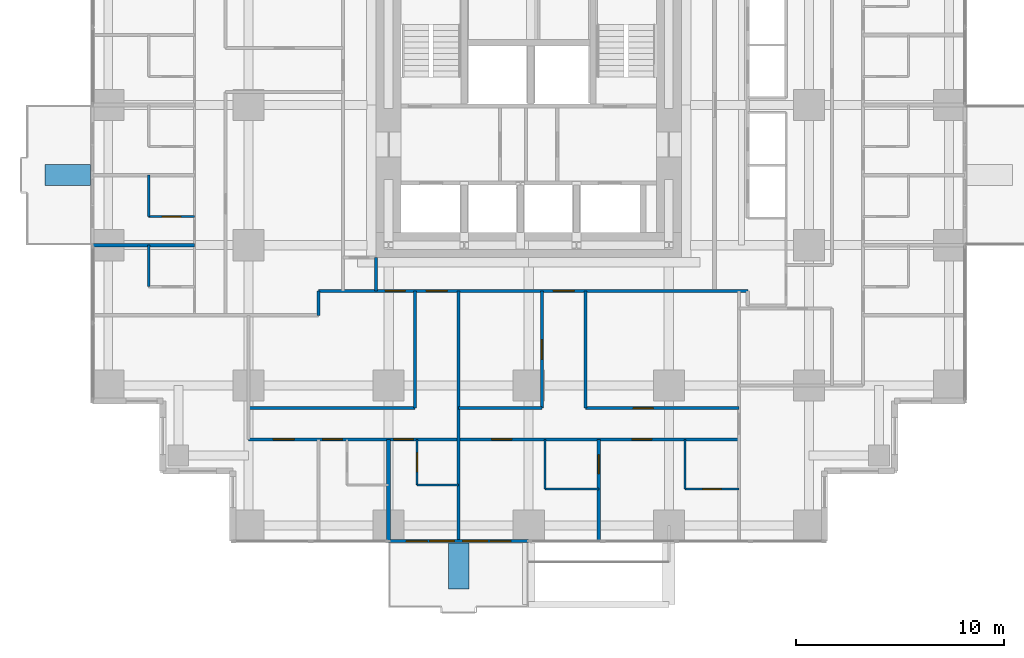
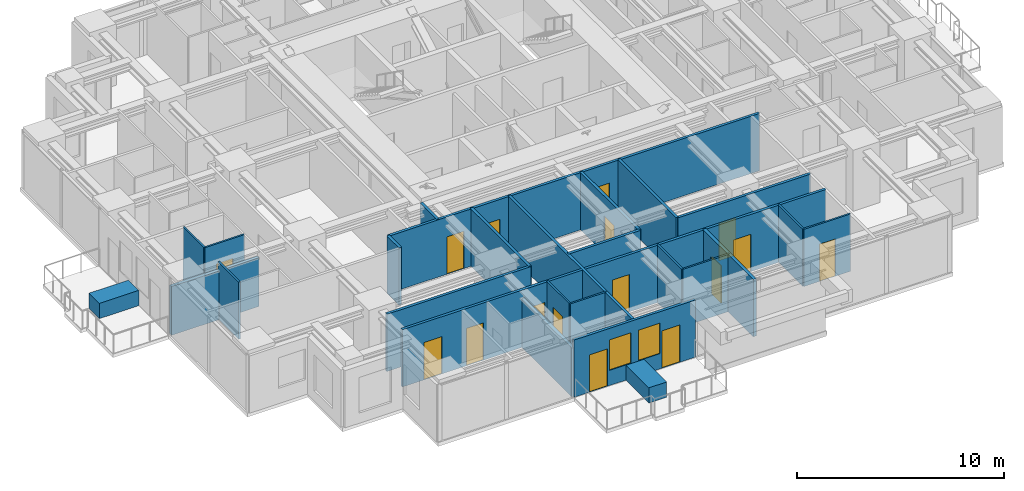
# One storey, part 7 of 13: 26 walls, 16 doors, 2 windows, 18 openings.
"""IFC4 building model written with IfcOpenShell, lengths in metres."""

from ifc_helpers import new_model, si_unit, direction, frame, frame_2d, origin, place, context, subcontext, project, spatial, rectangle, extrude, material, layer, layer_set, type_object, element, fill, save


model = new_model("IFC4")

# Units and contexts
model_context = context("Model", 3, precision=1e-05, world=origin(), true_north=direction((0.0, 1.0)))
body_context = subcontext(model_context, "Body", "Model", "MODEL_VIEW")
ifc_project = project(units=[si_unit("LENGTHUNIT", "METRE"), si_unit("AREAUNIT", "SQUARE_METRE"), si_unit("VOLUMEUNIT", "CUBIC_METRE"), si_unit("PLANEANGLEUNIT", "RADIAN"), si_unit("MASSUNIT", "GRAM", prefix="KILO")], contexts=[model_context])

# Site, building, storey
site_placement = place(None, origin())
site = spatial("IfcSite", under=ifc_project, at=site_placement, CompositionType="ELEMENT")
building_placement = place(site_placement, origin())
building = spatial("IfcBuilding", under=site, at=building_placement, Name="Nyansa Garden Tower", CompositionType="ELEMENT")
storey_placement = place(building_placement, frame((0.0, 0.0, 130.5)))
storey = spatial("IfcBuildingStorey", under=building, at=storey_placement, Name="L35", CompositionType="ELEMENT", Elevation=130.5)

# Walls
ifc_material_1 = material(Name="Dense blockwork, plastered both sides, 55 dB", Category="masonry")
ifc_layer_1 = layer(ifc_material_1, 0.175048828125)
ifc_layer_set_1 = layer_set([ifc_layer_1], Name="Acoustic party wall PW175")
wall_type_1 = type_object("IfcWallType", Name="Acoustic party wall PW175", PredefinedType="PARTITIONING", material=ifc_layer_set_1)
for number, where, z_axis, x_axis, name in (
    (1, (-0.73388671875, 13.5, 0.0), (0.0, 0.0, 1.0), (1.0, 0.0, 0.0), "Party wall"),
    (2, (13.5, -0.73388671875, 0.0), (0.0, 0.0, 1.0), (0.0, 1.0, 0.0), "Party wall"),
):
    element("IfcWall", number, at=place(storey_placement, frame(where, z_axis=z_axis, x_axis=x_axis)), inside=storey, type_object=wall_type_1, Name=name, PredefinedType="PARTITIONING", context=body_context, shape_type="SweptSolid", body=[
        extrude(rectangle(XDim=4.8837890625, YDim=0.175048828125, at=frame_2d((2.44189453125, 0.0))), origin(), (0.0, 0.0, 1.0), 2.876953125),
    ])

# Wall, opening, door
wall_1_placement = place(storey_placement, frame((23.625, -0.73388671875, 0.0), z_axis=(0.0, 0.0, 1.0), x_axis=(0.0, 1.0, 0.0)))
wall_1 = element("IfcWall", 3, at=wall_1_placement, inside=storey, type_object=wall_type_1, Name="Party wall", PredefinedType="PARTITIONING", context=body_context, shape_type="SweptSolid", body=[
    extrude(rectangle(XDim=4.8837890625, YDim=0.175048828125, at=frame_2d((2.44189453125, 0.0))), origin(), (0.0, 0.0, 1.0), 3.375),
])
opening_1_placement = place(wall_1_placement, frame((3.23388671875, 0.0, 0.0)))
opening_1 = element("IfcOpeningElement", 4, at=opening_1_placement, cuts=wall_1, Name="Opening D02", PredefinedType="OPENING", context=body_context, shape_type="SweptSolid", body=[
    extrude(rectangle(XDim=0.89990234375, YDim=2.199951171875, at=frame_2d((0.449951171875, 1.10009765625))), frame((0.0, 0.097412109375, 0.0), z_axis=(0.0, -1.0, 0.0), x_axis=(1.0, 0.0, 0.0)), (0.0, 0.0, 1.0), 0.195068359375),
])
ifc_material_2 = material(Name="Timber flush door", Category="wood")
door_type_1 = type_object("IfcDoorType", Name="En-suite door D02 900x2200", OperationType="SINGLE_SWING_RIGHT", PredefinedType="DOOR", material=ifc_material_2)
door_1_placement = place(opening_1_placement, origin())
door_1 = element("IfcDoor", 5, at=door_1_placement, inside=storey, type_object=door_type_1, Name="Door L35-027", OperationType="SINGLE_SWING_RIGHT", OverallHeight=2.199951171875, OverallWidth=0.89990234375, PredefinedType="DOOR", context=body_context, shape_type="SweptSolid", body=[
    extrude(rectangle(XDim=0.89990234375, YDim=2.199951171875, at=frame_2d((0.449951171875, 1.10009765625))), frame((0.0, 0.02490234375, 0.0), z_axis=(0.0, -1.0, 0.0), x_axis=(1.0, 0.0, 0.0)), (0.0, 0.0, 1.0), 0.050048828125),
])
fill(opening_1, door_1)

# Wall, openings, doors, windows
ifc_material_3 = material(Name="Black aluminium framed glazed screen", Category="aluminium")
ifc_layer_2 = layer(ifc_material_3, 0.14990234375)
ifc_layer_set_2 = layer_set([ifc_layer_2], Name="Balcony screen wall BW150")
wall_type_2 = type_object("IfcWallType", Name="Balcony screen wall BW150", PredefinedType="SOLIDWALL", material=ifc_layer_set_2)
wall_2_placement = place(storey_placement, frame((20.25, -0.75, 0.0), z_axis=(0.0, 0.0, 1.0), x_axis=(-1.0, 0.0, 0.0)))
wall_2 = element("IfcWall", 6, at=wall_2_placement, inside=storey, type_object=wall_type_2, Name="Glazed screen wall L35 S", PredefinedType="SOLIDWALL", context=body_context, shape_type="SweptSolid", body=[
    extrude(rectangle(XDim=6.75, YDim=0.14990234375, at=frame_2d((3.375, 0.0))), origin(), (0.0, 0.0, 1.0), 3.375),
])
opening_2_placement = place(wall_2_placement, frame((0.862548828125, 0.0, 0.0)))
opening_2 = element("IfcOpeningElement", 7, at=opening_2_placement, cuts=wall_2, Name="Opening D20", PredefinedType="OPENING", context=body_context, shape_type="SweptSolid", body=[
    extrude(rectangle(XDim=1.0, YDim=2.199951171875, at=frame_2d((0.5, 1.10009765625))), frame((0.0, 0.0849609375, 0.0), z_axis=(0.0, -1.0, 0.0), x_axis=(1.0, 0.0, 0.0)), (0.0, 0.0, 1.0), 0.169921875),
])
opening_3_placement = place(wall_2_placement, frame((1.97509765625, 0.0, 0.89990234375)))
opening_3 = element("IfcOpeningElement", 8, at=opening_3_placement, cuts=wall_2, Name="Opening W6", PredefinedType="OPENING", context=body_context, shape_type="SweptSolid", body=[
    extrude(rectangle(XDim=1.199951171875, YDim=1.800048828125, at=frame_2d((0.60009765625, 0.89990234375))), frame((0.0, 0.0849609375, 0.0), z_axis=(0.0, -1.0, 0.0), x_axis=(1.0, 0.0, 0.0)), (0.0, 0.0, 1.0), 0.169921875),
])
opening_4_placement = place(wall_2_placement, frame((4.887451171875, 0.0, 0.0)))
opening_4 = element("IfcOpeningElement", 9, at=opening_4_placement, cuts=wall_2, Name="Opening D20", PredefinedType="OPENING", context=body_context, shape_type="SweptSolid", body=[
    extrude(rectangle(XDim=1.0, YDim=2.199951171875, at=frame_2d((0.5, 1.10009765625))), frame((0.0, 0.0849609375, 0.0), z_axis=(0.0, -1.0, 0.0), x_axis=(1.0, 0.0, 0.0)), (0.0, 0.0, 1.0), 0.169921875),
])
opening_5_placement = place(wall_2_placement, frame((3.574951171875, 0.0, 0.89990234375)))
opening_5 = element("IfcOpeningElement", 10, at=opening_5_placement, cuts=wall_2, Name="Opening W6", PredefinedType="OPENING", context=body_context, shape_type="SweptSolid", body=[
    extrude(rectangle(XDim=1.199951171875, YDim=1.800048828125, at=frame_2d((0.60009765625, 0.89990234375))), frame((0.0, 0.0849609375, 0.0), z_axis=(0.0, -1.0, 0.0), x_axis=(1.0, 0.0, 0.0)), (0.0, 0.0, 1.0), 0.169921875),
])
ifc_material_4 = material(Name="Black aluminium framed glazed door", Category="aluminium")
door_type_2 = type_object("IfcDoorType", Name="Balcony door D20 1000x2200", OperationType="NOTDEFINED", PredefinedType="DOOR", material=ifc_material_4)
door_2_placement = place(opening_2_placement, origin())
door_2 = element("IfcDoor", 11, at=door_2_placement, inside=storey, type_object=door_type_2, Name="Balcony door L35", OperationType="SINGLE_SWING_LEFT", OverallHeight=2.199951171875, OverallWidth=1.0, PredefinedType="DOOR", context=body_context, shape_type="SweptSolid", body=[
    extrude(rectangle(XDim=1.0, YDim=2.199951171875, at=frame_2d((0.5, 1.10009765625))), frame((0.0, 0.02490234375, 0.0), z_axis=(0.0, -1.0, 0.0), x_axis=(1.0, 0.0, 0.0)), (0.0, 0.0, 1.0), 0.050048828125),
])
fill(opening_2, door_2)
door_3_placement = place(opening_4_placement, origin())
door_3 = element("IfcDoor", 12, at=door_3_placement, inside=storey, type_object=door_type_2, Name="Balcony door L35", OperationType="SINGLE_SWING_RIGHT", OverallHeight=2.199951171875, OverallWidth=1.0, PredefinedType="DOOR", context=body_context, shape_type="SweptSolid", body=[
    extrude(rectangle(XDim=1.0, YDim=2.199951171875, at=frame_2d((0.5, 1.10009765625))), frame((0.0, 0.02490234375, 0.0), z_axis=(0.0, -1.0, 0.0), x_axis=(1.0, 0.0, 0.0)), (0.0, 0.0, 1.0), 0.050048828125),
])
fill(opening_4, door_3)
ifc_material_5 = material(Name="Black aluminium frame, dark tinted double glazing", Category="aluminium")
window_type = type_object("IfcWindowType", Name="Balcony window W6 1200x1800", PartitioningType="SINGLE_PANEL", PredefinedType="WINDOW", material=ifc_material_5)
window_1_placement = place(opening_3_placement, origin())
window_1 = element("IfcWindow", 13, at=window_1_placement, inside=storey, type_object=window_type, Name="Window L35", OverallHeight=1.800048828125, OverallWidth=1.199951171875, PartitioningType="SINGLE_PANEL", PredefinedType="WINDOW", context=body_context, shape_type="SweptSolid", body=[
    extrude(rectangle(XDim=1.199951171875, YDim=1.800048828125, at=frame_2d((0.60009765625, 0.89990234375))), frame((0.0, 0.030029296875, 0.0), z_axis=(0.0, -1.0, 0.0), x_axis=(1.0, 0.0, 0.0)), (0.0, 0.0, 1.0), 0.06005859375),
])
fill(opening_3, window_1)
window_2_placement = place(opening_5_placement, origin())
window_2 = element("IfcWindow", 14, at=window_2_placement, inside=storey, type_object=window_type, Name="Window L35", OverallHeight=1.800048828125, OverallWidth=1.199951171875, PartitioningType="SINGLE_PANEL", PredefinedType="WINDOW", context=body_context, shape_type="SweptSolid", body=[
    extrude(rectangle(XDim=1.199951171875, YDim=1.800048828125, at=frame_2d((0.60009765625, 0.89990234375))), frame((0.0, 0.030029296875, 0.0), z_axis=(0.0, -1.0, 0.0), x_axis=(1.0, 0.0, 0.0)), (0.0, 0.0, 1.0), 0.06005859375),
])
fill(opening_5, window_2)

# Wall, openings, doors
ifc_material_6 = material(Name="Blockwork, plastered both sides", Category="masonry")
ifc_layer_3 = layer(ifc_material_6, 0.14990234375)
ifc_layer_set_3 = layer_set([ifc_layer_3], Name="Partition PW150")
wall_type_3 = type_object("IfcWallType", Name="Partition PW150", PredefinedType="PARTITIONING", material=ifc_layer_set_3)
wall_3_placement = place(storey_placement, frame((6.75, 4.14990234375, 0.0), z_axis=(0.0, 0.0, 1.0), x_axis=(1.0, 0.0, 0.0)))
wall_3 = element("IfcWall", 15, at=wall_3_placement, inside=storey, type_object=wall_type_3, Name="Partition", PredefinedType="PARTITIONING", context=body_context, shape_type="SweptSolid", body=[
    extrude(rectangle(XDim=23.625, YDim=0.14990234375, at=frame_2d((11.8125, 0.0))), origin(), (0.0, 0.0, 1.0), 3.375),
])
opening_6_placement = place(wall_3_placement, frame((1.199951171875, 0.0, 0.0)))
opening_6 = element("IfcOpeningElement", 16, at=opening_6_placement, cuts=wall_3, Name="Opening D03", PredefinedType="OPENING", context=body_context, shape_type="SweptSolid", body=[
    extrude(rectangle(XDim=1.0, YDim=2.199951171875, at=frame_2d((0.5, 1.10009765625))), frame((0.0, 0.0849609375, 0.0), z_axis=(0.0, -1.0, 0.0), x_axis=(1.0, 0.0, 0.0)), (0.0, 0.0, 1.0), 0.169921875),
])
opening_7_placement = place(wall_3_placement, frame((3.574951171875, 0.0, 0.0)))
opening_7 = element("IfcOpeningElement", 17, at=opening_7_placement, cuts=wall_3, Name="Opening D01", PredefinedType="OPENING", context=body_context, shape_type="SweptSolid", body=[
    extrude(rectangle(XDim=0.949951171875, YDim=2.199951171875, at=frame_2d((0.47509765625, 1.10009765625))), frame((0.0, 0.0849609375, 0.0), z_axis=(0.0, -1.0, 0.0), x_axis=(1.0, 0.0, 0.0)), (0.0, 0.0, 1.0), 0.169921875),
])
opening_8_placement = place(wall_3_placement, frame((7.0, 0.0, 0.0)))
opening_8 = element("IfcOpeningElement", 18, at=opening_8_placement, cuts=wall_3, Name="Opening D01", PredefinedType="OPENING", context=body_context, shape_type="SweptSolid", body=[
    extrude(rectangle(XDim=0.949951171875, YDim=2.199951171875, at=frame_2d((0.47509765625, 1.10009765625))), frame((0.0, 0.0849609375, 0.0), z_axis=(0.0, -1.0, 0.0), x_axis=(1.0, 0.0, 0.0)), (0.0, 0.0, 1.0), 0.169921875),
])
opening_9_placement = place(wall_3_placement, frame((18.47509765625, 0.0, 0.0)))
opening_9 = element("IfcOpeningElement", 19, at=opening_9_placement, cuts=wall_3, Name="Opening D14", PredefinedType="OPENING", context=body_context, shape_type="SweptSolid", body=[
    extrude(rectangle(XDim=0.949951171875, YDim=2.199951171875, at=frame_2d((0.47509765625, 1.10009765625))), frame((0.0, 0.0849609375, 0.0), z_axis=(0.0, -1.0, 0.0), x_axis=(1.0, 0.0, 0.0)), (0.0, 0.0, 1.0), 0.169921875),
])
opening_10_placement = place(wall_3_placement, frame((11.72509765625, 0.0, 0.0)))
opening_10 = element("IfcOpeningElement", 20, at=opening_10_placement, cuts=wall_3, Name="Opening D14", PredefinedType="OPENING", context=body_context, shape_type="SweptSolid", body=[
    extrude(rectangle(XDim=0.949951171875, YDim=2.199951171875, at=frame_2d((0.47509765625, 1.10009765625))), frame((0.0, 0.0849609375, 0.0), z_axis=(0.0, -1.0, 0.0), x_axis=(1.0, 0.0, 0.0)), (0.0, 0.0, 1.0), 0.169921875),
])
ifc_material_7 = material(Name="Timber flush door, 30 minute fire resisting", Category="wood")
door_type_3 = type_object("IfcDoorType", Name="Bedroom door D01 950x2200", OperationType="SINGLE_SWING_LEFT", PredefinedType="DOOR", material=ifc_material_7)
door_4_placement = place(opening_7_placement, origin())
door_4 = element("IfcDoor", 21, at=door_4_placement, inside=storey, type_object=door_type_3, Name="Door L35-019", OperationType="SINGLE_SWING_LEFT", OverallHeight=2.199951171875, OverallWidth=0.949951171875, PredefinedType="DOOR", context=body_context, shape_type="SweptSolid", body=[
    extrude(rectangle(XDim=0.949951171875, YDim=2.199951171875, at=frame_2d((0.47509765625, 1.10009765625))), frame((0.0, 0.02490234375, 0.0), z_axis=(0.0, -1.0, 0.0), x_axis=(1.0, 0.0, 0.0)), (0.0, 0.0, 1.0), 0.050048828125),
])
fill(opening_7, door_4)
door_5_placement = place(opening_8_placement, origin())
door_5 = element("IfcDoor", 22, at=door_5_placement, inside=storey, type_object=door_type_3, Name="Door L35-021", OperationType="SINGLE_SWING_LEFT", OverallHeight=2.199951171875, OverallWidth=0.949951171875, PredefinedType="DOOR", context=body_context, shape_type="SweptSolid", body=[
    extrude(rectangle(XDim=0.949951171875, YDim=2.199951171875, at=frame_2d((0.47509765625, 1.10009765625))), frame((0.0, 0.02490234375, 0.0), z_axis=(0.0, -1.0, 0.0), x_axis=(1.0, 0.0, 0.0)), (0.0, 0.0, 1.0), 0.050048828125),
])
fill(opening_8, door_5)
ifc_material_8 = material(Name="Timber flush door, 60 minute fire resisting", Category="wood")
door_type_4 = type_object("IfcDoorType", Name="Cluster entrance door D03 1000x2200", OperationType="SINGLE_SWING_LEFT", PredefinedType="DOOR", material=ifc_material_8)
door_6_placement = place(opening_6_placement, origin())
door_6 = element("IfcDoor", 23, at=door_6_placement, inside=storey, type_object=door_type_4, Name="Door L35-018", OperationType="SINGLE_SWING_LEFT", OverallHeight=2.199951171875, OverallWidth=1.0, PredefinedType="DOOR", context=body_context, shape_type="SweptSolid", body=[
    extrude(rectangle(XDim=1.0, YDim=2.199951171875, at=frame_2d((0.5, 1.10009765625))), frame((0.0, 0.02490234375, 0.0), z_axis=(0.0, -1.0, 0.0), x_axis=(1.0, 0.0, 0.0)), (0.0, 0.0, 1.0), 0.050048828125),
])
fill(opening_6, door_6)
ifc_material_9 = material(Name="Timber flush door, 60 minute fire resisting, self-closing", Category="wood")
door_type_5 = type_object("IfcDoorType", Name="Studio entrance door D14 950x2200", OperationType="SINGLE_SWING_LEFT", PredefinedType="DOOR", material=ifc_material_9)
door_7_placement = place(opening_9_placement, origin())
door_7 = element("IfcDoor", 24, at=door_7_placement, inside=storey, type_object=door_type_5, Name="Door L35-024", OperationType="SINGLE_SWING_LEFT", OverallHeight=2.199951171875, OverallWidth=0.949951171875, PredefinedType="DOOR", context=body_context, shape_type="SweptSolid", body=[
    extrude(rectangle(XDim=0.949951171875, YDim=2.199951171875, at=frame_2d((0.47509765625, 1.10009765625))), frame((0.0, 0.02490234375, 0.0), z_axis=(0.0, -1.0, 0.0), x_axis=(1.0, 0.0, 0.0)), (0.0, 0.0, 1.0), 0.050048828125),
])
fill(opening_9, door_7)
door_8_placement = place(opening_10_placement, origin())
door_8 = element("IfcDoor", 25, at=door_8_placement, inside=storey, type_object=door_type_5, Name="Door L35-026", OperationType="SINGLE_SWING_LEFT", OverallHeight=2.199951171875, OverallWidth=0.949951171875, PredefinedType="DOOR", context=body_context, shape_type="SweptSolid", body=[
    extrude(rectangle(XDim=0.949951171875, YDim=2.199951171875, at=frame_2d((0.47509765625, 1.10009765625))), frame((0.0, 0.02490234375, 0.0), z_axis=(0.0, -1.0, 0.0), x_axis=(1.0, 0.0, 0.0)), (0.0, 0.0, 1.0), 0.050048828125),
])
fill(opening_10, door_8)

# Walls
wall_4_placement = place(storey_placement, frame((6.75, 5.64990234375, 0.0), z_axis=(0.0, 0.0, 1.0), x_axis=(1.0, 0.0, 0.0)))
element("IfcWall", 26, at=wall_4_placement, inside=storey, type_object=wall_type_3, Name="Partition", PredefinedType="PARTITIONING", context=body_context, shape_type="SweptSolid", body=[
    extrude(rectangle(XDim=8.02490234375, YDim=0.14990234375, at=frame_2d((4.012451171875, 0.0))), origin(), (0.0, 0.0, 1.0), 3.375),
])
wall_5_placement = place(storey_placement, frame((10.125, 10.125, 0.0), z_axis=(0.0, 0.0, 1.0), x_axis=(0.0, 1.0, 0.0)))
element("IfcWall", 27, at=wall_5_placement, inside=storey, type_object=wall_type_3, Name="Partition", PredefinedType="PARTITIONING", context=body_context, shape_type="SweptSolid", body=[
    extrude(rectangle(XDim=1.175048828125, YDim=0.14990234375, at=frame_2d((0.58740234375, 0.0))), origin(), (0.0, 0.0, 1.0), 3.375),
])

# Wall, openings, doors
wall_6_placement = place(storey_placement, frame((10.125, 11.300048828125, 0.0), z_axis=(0.0, 0.0, 1.0), x_axis=(1.0, 0.0, 0.0)))
wall_6 = element("IfcWall", 28, at=wall_6_placement, inside=storey, type_object=wall_type_3, Name="Partition", PredefinedType="PARTITIONING", context=body_context, shape_type="SweptSolid", body=[
    extrude(rectangle(XDim=20.675048828125, YDim=0.14990234375, at=frame_2d((10.33740234375, 0.0))), origin(), (0.0, 0.0, 1.0), 3.375),
])
opening_11_placement = place(wall_6_placement, frame((5.199951171875, 0.0, 0.0)))
opening_11 = element("IfcOpeningElement", 29, at=opening_11_placement, cuts=wall_6, Name="Opening D03", PredefinedType="OPENING", context=body_context, shape_type="SweptSolid", body=[
    extrude(rectangle(XDim=1.0, YDim=2.199951171875, at=frame_2d((0.5, 1.10009765625))), frame((0.0, 0.0849609375, 0.0), z_axis=(0.0, -1.0, 0.0), x_axis=(1.0, 0.0, 0.0)), (0.0, 0.0, 1.0), 0.169921875),
])
opening_12_placement = place(wall_6_placement, frame((11.3125, 0.0, 0.0)))
opening_12 = element("IfcOpeningElement", 30, at=opening_12_placement, cuts=wall_6, Name="Opening D03", PredefinedType="OPENING", context=body_context, shape_type="SweptSolid", body=[
    extrude(rectangle(XDim=1.0, YDim=2.199951171875, at=frame_2d((0.5, 1.10009765625))), frame((0.0, 0.0849609375, 0.0), z_axis=(0.0, -1.0, 0.0), x_axis=(1.0, 0.0, 0.0)), (0.0, 0.0, 1.0), 0.169921875),
])
opening_13_placement = place(wall_6_placement, frame((3.22509765625, 0.0, 0.0)))
opening_13 = element("IfcOpeningElement", 31, at=opening_13_placement, cuts=wall_6, Name="Opening D01", PredefinedType="OPENING", context=body_context, shape_type="SweptSolid", body=[
    extrude(rectangle(XDim=0.949951171875, YDim=2.199951171875, at=frame_2d((0.47509765625, 1.10009765625))), frame((0.0, 0.0849609375, 0.0), z_axis=(0.0, -1.0, 0.0), x_axis=(1.0, 0.0, 0.0)), (0.0, 0.0, 1.0), 0.169921875),
])
door_9_placement = place(opening_13_placement, origin())
door_9 = element("IfcDoor", 32, at=door_9_placement, inside=storey, type_object=door_type_3, Name="Door L35-029", OperationType="SINGLE_SWING_LEFT", OverallHeight=2.199951171875, OverallWidth=0.949951171875, PredefinedType="DOOR", context=body_context, shape_type="SweptSolid", body=[
    extrude(rectangle(XDim=0.949951171875, YDim=2.199951171875, at=frame_2d((0.47509765625, 1.10009765625))), frame((0.0, 0.02490234375, 0.0), z_axis=(0.0, -1.0, 0.0), x_axis=(1.0, 0.0, 0.0)), (0.0, 0.0, 1.0), 0.050048828125),
])
fill(opening_13, door_9)
door_10_placement = place(opening_11_placement, origin())
door_10 = element("IfcDoor", 33, at=door_10_placement, inside=storey, type_object=door_type_4, Name="Door L35-023", OperationType="SINGLE_SWING_LEFT", OverallHeight=2.199951171875, OverallWidth=1.0, PredefinedType="DOOR", context=body_context, shape_type="SweptSolid", body=[
    extrude(rectangle(XDim=1.0, YDim=2.199951171875, at=frame_2d((0.5, 1.10009765625))), frame((0.0, 0.02490234375, 0.0), z_axis=(0.0, -1.0, 0.0), x_axis=(1.0, 0.0, 0.0)), (0.0, 0.0, 1.0), 0.050048828125),
])
fill(opening_11, door_10)
door_11_placement = place(opening_12_placement, origin())
door_11 = element("IfcDoor", 34, at=door_11_placement, inside=storey, type_object=door_type_4, Name="Door L35-028", OperationType="SINGLE_SWING_LEFT", OverallHeight=2.199951171875, OverallWidth=1.0, PredefinedType="DOOR", context=body_context, shape_type="SweptSolid", body=[
    extrude(rectangle(XDim=1.0, YDim=2.199951171875, at=frame_2d((0.5, 1.10009765625))), frame((0.0, 0.02490234375, 0.0), z_axis=(0.0, -1.0, 0.0), x_axis=(1.0, 0.0, 0.0)), (0.0, 0.0, 1.0), 0.050048828125),
])
fill(opening_12, door_11)

# Walls
wall_7_placement = place(storey_placement, frame((12.89990234375, 11.300048828125, 0.0), z_axis=(0.0, 0.0, 1.0), x_axis=(0.0, 1.0, 0.0)))
element("IfcWall", 35, at=wall_7_placement, inside=storey, type_object=wall_type_3, Name="Partition", PredefinedType="PARTITIONING", context=body_context, shape_type="SweptSolid", body=[
    extrude(rectangle(XDim=1.599853515625, YDim=0.14990234375, at=frame_2d((0.7998046875, 0.0))), origin(), (0.0, 0.0, 1.0), 3.375),
])
wall_8_placement = place(storey_placement, frame((14.77490234375, 5.64990234375, 0.0), z_axis=(0.0, 0.0, 1.0), x_axis=(0.0, 1.0, 0.0)))
element("IfcWall", 36, at=wall_8_placement, inside=storey, type_object=wall_type_3, Name="Partition", PredefinedType="PARTITIONING", context=body_context, shape_type="SweptSolid", body=[
    extrude(rectangle(XDim=5.650146484375, YDim=0.14990234375, at=frame_2d((2.8251953125, 0.0))), origin(), (0.0, 0.0, 1.0), 3.375),
])
wall_9_placement = place(storey_placement, frame((16.875, -0.73388671875, 0.0), z_axis=(0.0, 0.0, 1.0), x_axis=(0.0, 1.0, 0.0)))
element("IfcWall", 37, at=wall_9_placement, inside=storey, type_object=wall_type_3, Name="Partition", PredefinedType="PARTITIONING", context=body_context, shape_type="SweptSolid", body=[
    extrude(rectangle(XDim=12.033935546875, YDim=0.14990234375, at=frame_2d((6.01708984375, 0.0))), origin(), (0.0, 0.0, 1.0), 3.375),
])
wall_10_placement = place(storey_placement, frame((16.875, 5.64990234375, 0.0), z_axis=(0.0, 0.0, 1.0), x_axis=(1.0, 0.0, 0.0)))
element("IfcWall", 38, at=wall_10_placement, inside=storey, type_object=wall_type_3, Name="Partition", PredefinedType="PARTITIONING", context=body_context, shape_type="SweptSolid", body=[
    extrude(rectangle(XDim=4.012451171875, YDim=0.14990234375, at=frame_2d((2.00634765625, 0.0))), origin(), (0.0, 0.0, 1.0), 3.375),
])

# Wall, opening, door
wall_11_placement = place(storey_placement, frame((20.886962890625, 5.64990234375, 0.0), z_axis=(0.0, 0.0, 1.0), x_axis=(0.0, 1.0, 0.0)))
wall_11 = element("IfcWall", 39, at=wall_11_placement, inside=storey, type_object=wall_type_3, Name="Partition", PredefinedType="PARTITIONING", context=body_context, shape_type="SweptSolid", body=[
    extrude(rectangle(XDim=5.650146484375, YDim=0.14990234375, at=frame_2d((2.8251953125, 0.0))), origin(), (0.0, 0.0, 1.0), 3.375),
])
opening_14_placement = place(wall_11_placement, frame((2.35009765625, 0.0, 0.0)))
opening_14 = element("IfcOpeningElement", 40, at=opening_14_placement, cuts=wall_11, Name="Opening D01", PredefinedType="OPENING", context=body_context, shape_type="SweptSolid", body=[
    extrude(rectangle(XDim=0.949951171875, YDim=2.199951171875, at=frame_2d((0.47509765625, 1.10009765625))), frame((0.0, 0.0849609375, 0.0), z_axis=(0.0, -1.0, 0.0), x_axis=(1.0, 0.0, 0.0)), (0.0, 0.0, 1.0), 0.169921875),
])
door_12_placement = place(opening_14_placement, origin())
door_12 = element("IfcDoor", 41, at=door_12_placement, inside=storey, type_object=door_type_3, Name="Door L35-031", OperationType="SINGLE_SWING_LEFT", OverallHeight=2.199951171875, OverallWidth=0.949951171875, PredefinedType="DOOR", context=body_context, shape_type="SweptSolid", body=[
    extrude(rectangle(XDim=0.949951171875, YDim=2.199951171875, at=frame_2d((0.47509765625, 1.10009765625))), frame((0.0, 0.02490234375, 0.0), z_axis=(0.0, -1.0, 0.0), x_axis=(1.0, 0.0, 0.0)), (0.0, 0.0, 1.0), 0.050048828125),
])
fill(opening_14, door_12)

wall_12_placement = place(storey_placement, frame((22.987548828125, 5.64990234375, 0.0), z_axis=(0.0, 0.0, 1.0), x_axis=(1.0, 0.0, 0.0)))
wall_12 = element("IfcWall", 42, at=wall_12_placement, inside=storey, type_object=wall_type_3, Name="Partition", PredefinedType="PARTITIONING", context=body_context, shape_type="SweptSolid", body=[
    extrude(rectangle(XDim=7.387451171875, YDim=0.14990234375, at=frame_2d((3.69384765625, 0.0))), origin(), (0.0, 0.0, 1.0), 3.375),
])
opening_15_placement = place(wall_12_placement, frame((2.300048828125, 0.0, 0.0)))
opening_15 = element("IfcOpeningElement", 43, at=opening_15_placement, cuts=wall_12, Name="Opening D01", PredefinedType="OPENING", context=body_context, shape_type="SweptSolid", body=[
    extrude(rectangle(XDim=0.949951171875, YDim=2.199951171875, at=frame_2d((0.47509765625, 1.10009765625))), frame((0.0, 0.0849609375, 0.0), z_axis=(0.0, -1.0, 0.0), x_axis=(1.0, 0.0, 0.0)), (0.0, 0.0, 1.0), 0.169921875),
])
door_13_placement = place(opening_15_placement, origin())
door_13 = element("IfcDoor", 44, at=door_13_placement, inside=storey, type_object=door_type_3, Name="Door L35-030", OperationType="SINGLE_SWING_LEFT", OverallHeight=2.199951171875, OverallWidth=0.949951171875, PredefinedType="DOOR", context=body_context, shape_type="SweptSolid", body=[
    extrude(rectangle(XDim=0.949951171875, YDim=2.199951171875, at=frame_2d((0.47509765625, 1.10009765625))), frame((0.0, 0.02490234375, 0.0), z_axis=(0.0, -1.0, 0.0), x_axis=(1.0, 0.0, 0.0)), (0.0, 0.0, 1.0), 0.050048828125),
])
fill(opening_15, door_13)

# Walls
wall_13_placement = place(storey_placement, frame((22.988037109375, 5.64990234375, 0.0), z_axis=(0.0, 0.0, 1.0), x_axis=(0.0, 1.0, 0.0)))
element("IfcWall", 45, at=wall_13_placement, inside=storey, type_object=wall_type_3, Name="Partition", PredefinedType="PARTITIONING", context=body_context, shape_type="SweptSolid", body=[
    extrude(rectangle(XDim=5.650146484375, YDim=0.14990234375, at=frame_2d((2.8251953125, 0.0))), origin(), (0.0, 0.0, 1.0), 3.375),
])
ifc_material_10 = material(Name="Concrete C40/50 planter, waterproofed", Category="concrete")
ifc_layer_4 = layer(ifc_material_10, 1.0)
ifc_layer_set_4 = layer_set([ifc_layer_4], Name="Tree planter TP1")
wall_type_4 = type_object("IfcWallType", Name="Tree planter TP1", PredefinedType="USERDEFINED", material=ifc_layer_set_4)
for number, where, z_axis, x_axis, name in (
    (46, (16.875, -0.85009765625, 0.0), (0.0, 0.0, 1.0), (0.0, -1.0, 0.0), "Tree planter L35"),
    (47, (-0.85009765625, 16.875, 0.0), (0.0, 0.0, 1.0), (-1.0, 0.0, 0.0), "Tree planter L35"),
):
    element("IfcWall", number, at=place(storey_placement, frame(where, z_axis=z_axis, x_axis=x_axis)), inside=storey, type_object=wall_type_4, Name=name, ObjectType="TREE PLANTER", PredefinedType="USERDEFINED", context=body_context, shape_type="SweptSolid", body=[
        extrude(rectangle(XDim=2.199951171875, YDim=1.0, at=frame_2d((1.10009765625, 0.0))), origin(), (0.0, 0.0, 1.0), 0.89990234375),
    ])
ifc_material_11 = material(Name="Moisture resistant board on steel studs, tiled", Category="steel")
ifc_layer_5 = layer(ifc_material_11, 0.10009765625)
ifc_layer_set_5 = layer_set([ifc_layer_5], Name="Wet wall PW100")
wall_type_5 = type_object("IfcWallType", Name="Wet wall PW100", PredefinedType="PARTITIONING", material=ifc_layer_set_5)
for number, where, z_axis, x_axis, name in (
    (48, (1.949951171875, 11.5, 0.0), (0.0, 0.0, 1.0), (0.0, 1.0, 0.0), "Wet wall"),
    (49, (1.949951171875, 14.875, 0.0), (0.0, 0.0, 1.0), (0.0, 1.0, 0.0), "Wet wall"),
):
    element("IfcWall", number, at=place(storey_placement, frame(where, z_axis=z_axis, x_axis=x_axis)), inside=storey, type_object=wall_type_5, Name=name, PredefinedType="PARTITIONING", context=body_context, shape_type="SweptSolid", body=[
        extrude(rectangle(XDim=2.0, YDim=0.10009765625, at=frame_2d((1.0, 0.0))), origin(), (0.0, 0.0, 1.0), 3.375),
    ])

# Wall, opening, door
wall_14_placement = place(storey_placement, frame((1.949951171875, 14.875, 0.0), z_axis=(0.0, 0.0, 1.0), x_axis=(1.0, 0.0, 0.0)))
wall_14 = element("IfcWall", 50, at=wall_14_placement, inside=storey, type_object=wall_type_5, Name="Wet wall", PredefinedType="PARTITIONING", context=body_context, shape_type="SweptSolid", body=[
    extrude(rectangle(XDim=2.199951171875, YDim=0.10009765625, at=frame_2d((1.10009765625, 0.0))), origin(), (0.0, 0.0, 1.0), 3.375),
])
opening_16_placement = place(wall_14_placement, frame((0.64990234375, 0.0, 0.0)))
opening_16 = element("IfcOpeningElement", 51, at=opening_16_placement, cuts=wall_14, Name="Opening D02", PredefinedType="OPENING", context=body_context, shape_type="SweptSolid", body=[
    extrude(rectangle(XDim=0.89990234375, YDim=2.199951171875, at=frame_2d((0.449951171875, 1.10009765625))), frame((0.0, 0.06005859375, 0.0), z_axis=(0.0, -1.0, 0.0), x_axis=(1.0, 0.0, 0.0)), (0.0, 0.0, 1.0), 0.1201171875),
])
door_14_placement = place(opening_16_placement, origin())
door_14 = element("IfcDoor", 52, at=door_14_placement, inside=storey, type_object=door_type_1, Name="Door L35-058", OperationType="SINGLE_SWING_RIGHT", OverallHeight=2.199951171875, OverallWidth=0.89990234375, PredefinedType="DOOR", context=body_context, shape_type="SweptSolid", body=[
    extrude(rectangle(XDim=0.89990234375, YDim=2.199951171875, at=frame_2d((0.449951171875, 1.10009765625))), frame((0.0, 0.02490234375, 0.0), z_axis=(0.0, -1.0, 0.0), x_axis=(1.0, 0.0, 0.0)), (0.0, 0.0, 1.0), 0.050048828125),
])
fill(opening_16, door_14)

wall_15_placement = place(storey_placement, frame((14.875, 1.949951171875, 0.0), z_axis=(0.0, 0.0, 1.0), x_axis=(0.0, 1.0, 0.0)))
wall_15 = element("IfcWall", 53, at=wall_15_placement, inside=storey, type_object=wall_type_5, Name="Wet wall", PredefinedType="PARTITIONING", context=body_context, shape_type="SweptSolid", body=[
    extrude(rectangle(XDim=2.199951171875, YDim=0.10009765625, at=frame_2d((1.10009765625, 0.0))), origin(), (0.0, 0.0, 1.0), 3.375),
])
opening_17_placement = place(wall_15_placement, frame((0.64990234375, 0.0, 0.0)))
opening_17 = element("IfcOpeningElement", 54, at=opening_17_placement, cuts=wall_15, Name="Opening D02", PredefinedType="OPENING", context=body_context, shape_type="SweptSolid", body=[
    extrude(rectangle(XDim=0.89990234375, YDim=2.199951171875, at=frame_2d((0.449951171875, 1.10009765625))), frame((0.0, 0.06005859375, 0.0), z_axis=(0.0, -1.0, 0.0), x_axis=(1.0, 0.0, 0.0)), (0.0, 0.0, 1.0), 0.1201171875),
])
door_15_placement = place(opening_17_placement, origin())
door_15 = element("IfcDoor", 55, at=door_15_placement, inside=storey, type_object=door_type_1, Name="Door L35-022", OperationType="SINGLE_SWING_RIGHT", OverallHeight=2.199951171875, OverallWidth=0.89990234375, PredefinedType="DOOR", context=body_context, shape_type="SweptSolid", body=[
    extrude(rectangle(XDim=0.89990234375, YDim=2.199951171875, at=frame_2d((0.449951171875, 1.10009765625))), frame((0.0, 0.02490234375, 0.0), z_axis=(0.0, -1.0, 0.0), x_axis=(1.0, 0.0, 0.0)), (0.0, 0.0, 1.0), 0.050048828125),
])
fill(opening_17, door_15)

# Walls
wall_16_placement = place(storey_placement, frame((14.875, 1.949951171875, 0.0), z_axis=(0.0, 0.0, 1.0), x_axis=(1.0, 0.0, 0.0)))
element("IfcWall", 56, at=wall_16_placement, inside=storey, type_object=wall_type_5, Name="Wet wall", PredefinedType="PARTITIONING", context=body_context, shape_type="SweptSolid", body=[
    extrude(rectangle(XDim=2.0, YDim=0.10009765625, at=frame_2d((1.0, 0.0))), origin(), (0.0, 0.0, 1.0), 3.375),
])
wall_17_placement = place(storey_placement, frame((21.02490234375, 1.75, 0.0), z_axis=(0.0, 0.0, 1.0), x_axis=(0.0, 1.0, 0.0)))
element("IfcWall", 57, at=wall_17_placement, inside=storey, type_object=wall_type_5, Name="Wet wall", PredefinedType="PARTITIONING", context=body_context, shape_type="SweptSolid", body=[
    extrude(rectangle(XDim=2.39990234375, YDim=0.10009765625, at=frame_2d((1.199951171875, 0.0))), origin(), (0.0, 0.0, 1.0), 3.375),
])
wall_18_placement = place(storey_placement, frame((21.02490234375, 1.75, 0.0), z_axis=(0.0, 0.0, 1.0), x_axis=(1.0, 0.0, 0.0)))
element("IfcWall", 58, at=wall_18_placement, inside=storey, type_object=wall_type_5, Name="Wet wall", PredefinedType="PARTITIONING", context=body_context, shape_type="SweptSolid", body=[
    extrude(rectangle(XDim=2.60009765625, YDim=0.10009765625, at=frame_2d((1.300048828125, 0.0))), origin(), (0.0, 0.0, 1.0), 3.375),
])
wall_19_placement = place(storey_placement, frame((27.77490234375, 1.75, 0.0), z_axis=(0.0, 0.0, 1.0), x_axis=(0.0, 1.0, 0.0)))
element("IfcWall", 59, at=wall_19_placement, inside=storey, type_object=wall_type_5, Name="Wet wall", PredefinedType="PARTITIONING", context=body_context, shape_type="SweptSolid", body=[
    extrude(rectangle(XDim=2.39990234375, YDim=0.10009765625, at=frame_2d((1.199951171875, 0.0))), origin(), (0.0, 0.0, 1.0), 3.375),
])

# Wall, opening, door
wall_20_placement = place(storey_placement, frame((27.77490234375, 1.75, 0.0), z_axis=(0.0, 0.0, 1.0), x_axis=(1.0, 0.0, 0.0)))
wall_20 = element("IfcWall", 60, at=wall_20_placement, inside=storey, type_object=wall_type_5, Name="Wet wall", PredefinedType="PARTITIONING", context=body_context, shape_type="SweptSolid", body=[
    extrude(rectangle(XDim=2.60009765625, YDim=0.10009765625, at=frame_2d((1.300048828125, 0.0))), origin(), (0.0, 0.0, 1.0), 3.375),
])
opening_18_placement = place(wall_20_placement, frame((0.85009765625, 0.0, 0.0)))
opening_18 = element("IfcOpeningElement", 61, at=opening_18_placement, cuts=wall_20, Name="Opening D02", PredefinedType="OPENING", context=body_context, shape_type="SweptSolid", body=[
    extrude(rectangle(XDim=0.89990234375, YDim=2.199951171875, at=frame_2d((0.449951171875, 1.10009765625))), frame((0.0, 0.06005859375, 0.0), z_axis=(0.0, -1.0, 0.0), x_axis=(1.0, 0.0, 0.0)), (0.0, 0.0, 1.0), 0.1201171875),
])
door_16_placement = place(opening_18_placement, origin())
door_16 = element("IfcDoor", 62, at=door_16_placement, inside=storey, type_object=door_type_1, Name="Door L35-025", OperationType="SINGLE_SWING_RIGHT", OverallHeight=2.199951171875, OverallWidth=0.89990234375, PredefinedType="DOOR", context=body_context, shape_type="SweptSolid", body=[
    extrude(rectangle(XDim=0.89990234375, YDim=2.199951171875, at=frame_2d((0.449951171875, 1.10009765625))), frame((0.0, 0.02490234375, 0.0), z_axis=(0.0, -1.0, 0.0), x_axis=(1.0, 0.0, 0.0)), (0.0, 0.0, 1.0), 0.050048828125),
])
fill(opening_18, door_16)

save(model, "model.ifc")
